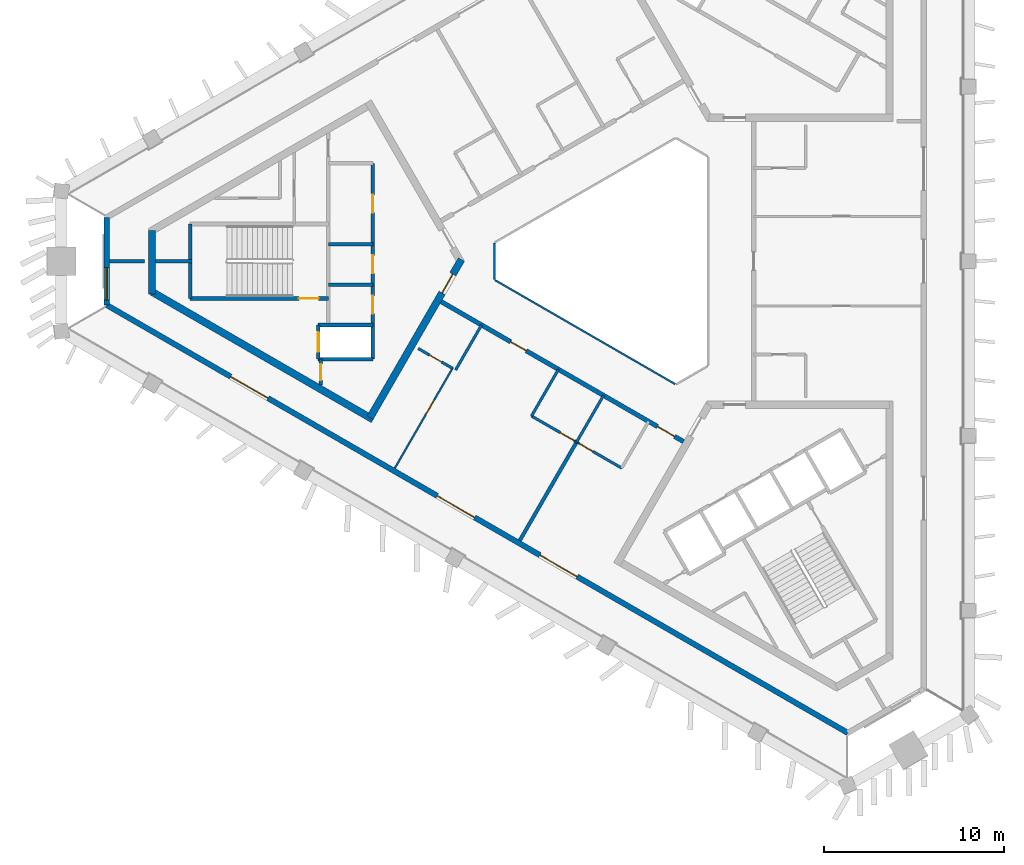
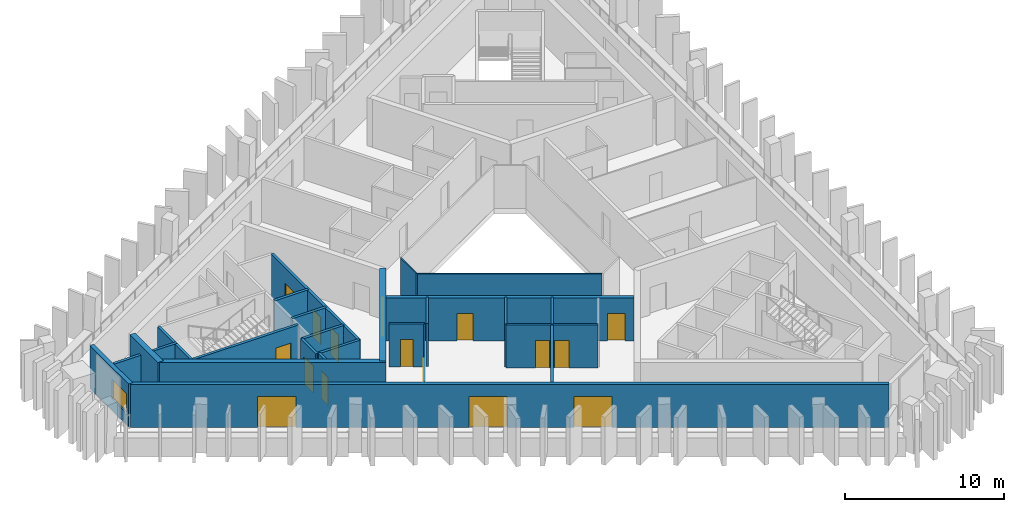
# One storey, part 2 of 9: 26 walls, 16 doors, 1 window, 17 openings.
"""IFC4 building model written with IfcOpenShell, lengths in metres."""

from ifc_helpers import new_model, si_unit, direction, frame, frame_2d, origin, place, context, subcontext, project, spatial, rectangle, extrude, material, layer, layer_set, type_object, element, fill, save


model = new_model("IFC4")

# Units and contexts
model_context = context("Model", 3, precision=1e-05, world=origin(), true_north=direction((0.0, 1.0)))
body_context = subcontext(model_context, "Body", "Model", "MODEL_VIEW")
ifc_project = project(units=[si_unit("LENGTHUNIT", "METRE"), si_unit("AREAUNIT", "SQUARE_METRE"), si_unit("VOLUMEUNIT", "CUBIC_METRE"), si_unit("PLANEANGLEUNIT", "RADIAN"), si_unit("MASSUNIT", "GRAM", prefix="KILO")], contexts=[model_context])

# Site, building, storey
site_placement = place(None, origin())
site = spatial("IfcSite", under=ifc_project, at=site_placement, CompositionType="ELEMENT")
building_placement = place(site_placement, origin())
building = spatial("IfcBuilding", under=site, at=building_placement, Name="Jabali Bay Hotel Tower and Convention Centre", CompositionType="ELEMENT")
storey_placement = place(building_placement, frame((0.0, 0.0, 273.800048828125)))
storey = spatial("IfcBuildingStorey", under=building, at=storey_placement, Name="L67", CompositionType="ELEMENT", Elevation=273.800048828125)

# Walls
ifc_material_1 = material(Name="Fire-resistant glazing", Category="glass")
ifc_layer_1 = layer(ifc_material_1, 0.10009765625)
ifc_layer_set_1 = layer_set([ifc_layer_1], Name="Fire-resistant glazing")
wall_type_1 = type_object("IfcWallType", Name="Atrium glazed screen 100", PredefinedType="PARTITIONING", material=ifc_layer_set_1)
wall_1_placement = place(storey_placement, frame((67.672119140625, 81.0, 0.0), z_axis=(0.0, 0.0, 1.0), x_axis=(0.0, -1.0, 0.0)))
element("IfcWall", 1, at=wall_1_placement, inside=storey, type_object=wall_type_1, Name="Atrium screen 4 L67", PredefinedType="PARTITIONING", context=body_context, shape_type="SweptSolid", body=[
    extrude(rectangle(XDim=2.0, YDim=0.10009765625, at=frame_2d((1.0, 0.0))), origin(), (0.0, 0.0, 1.0), 3.300048828125),
])
wall_2_placement = place(storey_placement, frame((67.7021484375, 78.947998046875, 0.0), z_axis=(0.0, 0.0, 1.0), x_axis=(0.866026658274, -0.499997827154, 0.0)))
element("IfcWall", 2, at=wall_2_placement, inside=storey, type_object=wall_type_1, Name="Atrium screen 5 L67", PredefinedType="PARTITIONING", context=body_context, shape_type="SweptSolid", body=[
    extrude(rectangle(XDim=11.58837890625, YDim=0.10009765625, at=frame_2d((5.794189453125, 0.0))), origin(), (0.0, 0.0, 1.0), 3.300048828125),
])
ifc_material_2 = material(Name="Concrete C40", Category="concrete")
ifc_layer_2 = layer(ifc_material_2, 0.199951171875)
ifc_layer_set_2 = layer_set([ifc_layer_2], Name="Concrete C40")
wall_type_2 = type_object("IfcWallType", Name="Core partition wall 200", PredefinedType="PARTITIONING", material=ifc_layer_set_2)
wall_3_placement = place(storey_placement, frame((50.820068359375, 80.0, 0.0), z_axis=(0.0, 0.0, 1.0), x_axis=(-1.0, 0.0, 0.0)))
element("IfcWall", 3, at=wall_3_placement, inside=storey, type_object=wall_type_2, Name="Core wall 0.4 L67", PredefinedType="PARTITIONING", context=body_context, shape_type="SweptSolid", body=[
    extrude(rectangle(XDim=2.023193359375, YDim=0.199951171875, at=frame_2d((1.01171875, 0.0))), origin(), (0.0, 0.0, 1.0), 3.300048828125),
])

# Wall, opening, door
wall_4_placement = place(storey_placement, frame((58.0, 74.550048828125, 0.0), z_axis=(0.0, 0.0, 1.0), x_axis=(0.0, -1.0, 0.0)))
wall_4 = element("IfcWall", 4, at=wall_4_placement, inside=storey, type_object=wall_type_2, Name="Core wall 0.11 L67", PredefinedType="PARTITIONING", context=body_context, shape_type="SweptSolid", body=[
    extrude(rectangle(XDim=1.455078125, YDim=0.199951171875, at=frame_2d((0.7275390625, 0.0))), origin(), (0.0, 0.0, 1.0), 3.300048828125),
])
opening_1_placement = place(wall_4_placement, frame((0.277587890625, 0.0, 0.0)))
opening_1 = element("IfcOpeningElement", 5, at=opening_1_placement, cuts=wall_4, Name="Opening D1474", PredefinedType="OPENING", context=body_context, shape_type="SweptSolid", body=[
    extrude(rectangle(XDim=0.89990234375, YDim=2.10009765625, at=frame_2d((0.449951171875, 1.050048828125))), frame((0.0, 0.1103515625, 0.0), z_axis=(0.0, -1.0, 0.0), x_axis=(1.0, 0.0, 0.0)), (0.0, 0.0, 1.0), 0.220947265625),
])
ifc_material_3 = material(Name="Fire-rated steel door", Category="steel")
door_type_1 = type_object("IfcDoorType", Name="Vestibule fire door 900 x 2100", OperationType="NOTDEFINED", PredefinedType="NOTDEFINED", material=ifc_material_3)
door_1_placement = place(opening_1_placement, origin())
door_1 = element("IfcDoor", 6, at=door_1_placement, inside=storey, type_object=door_type_1, Name="Vestibule fire door D1474", OperationType="SINGLE_SWING_LEFT", OverallHeight=2.10009765625, OverallWidth=0.89990234375, PredefinedType="NOTDEFINED", context=body_context, shape_type="SweptSolid", body=[
    extrude(rectangle(XDim=0.89990234375, YDim=2.10009765625, at=frame_2d((0.449951171875, 1.050048828125))), frame((0.0, 0.02490234375, 0.0), z_axis=(0.0, -1.0, 0.0), x_axis=(1.0, 0.0, 0.0)), (0.0, 0.0, 1.0), 0.050048828125),
])
fill(opening_1, door_1)

# Walls
ifc_layer_3 = layer(ifc_material_2, 0.199951171875)
ifc_layer_set_3 = layer_set([ifc_layer_3], Name="Concrete C40")
wall_type_3 = type_object("IfcWallType", Name="Core stair wall 200", PredefinedType="SOLIDWALL", material=ifc_layer_set_3)
for number, where, z_axis, x_axis, name in (
    (7, (60.89990234375, 80.949951171875, 0.0), (0.0, 0.0, 1.0), (-1.0, 0.0, 0.0), "Core wall 0.3 L67"),
    (8, (60.89990234375, 78.699951171875, 0.0), (0.0, 0.0, 1.0), (-1.0, 0.0, 0.0), "Core wall 0.5 L67"),
):
    element("IfcWall", number, at=place(storey_placement, frame(where, z_axis=z_axis, x_axis=x_axis)), inside=storey, type_object=wall_type_3, Name=name, PredefinedType="SOLIDWALL", context=body_context, shape_type="SweptSolid", body=[
        extrude(rectangle(XDim=2.47998046875, YDim=0.199951171875, at=frame_2d((1.239990234375, 0.0))), origin(), (0.0, 0.0, 1.0), 3.300048828125),
    ])

# Wall, opening, door
wall_5_placement = place(storey_placement, frame((58.419921875, 77.925048828125, 0.0), z_axis=(0.0, 0.0, 1.0), x_axis=(-1.0, 0.0, 0.0)))
wall_5 = element("IfcWall", 9, at=wall_5_placement, inside=storey, type_object=wall_type_3, Name="Core wall 0.6 L67", PredefinedType="SOLIDWALL", context=body_context, shape_type="SweptSolid", body=[
    extrude(rectangle(XDim=7.699951171875, YDim=0.199951171875, at=frame_2d((3.85009765625, 0.0))), origin(), (0.0, 0.0, 1.0), 3.300048828125),
])
opening_2_placement = place(wall_5_placement, frame((0.550048828125, 0.0, 0.0)))
opening_2 = element("IfcOpeningElement", 10, at=opening_2_placement, cuts=wall_5, Name="Opening D1476", PredefinedType="OPENING", context=body_context, shape_type="SweptSolid", body=[
    extrude(rectangle(XDim=1.10009765625, YDim=2.10009765625, at=frame_2d((0.550048828125, 1.050048828125))), frame((0.0, 0.1103515625, 0.0), z_axis=(0.0, -1.0, 0.0), x_axis=(1.0, 0.0, 0.0)), (0.0, 0.0, 1.0), 0.220947265625),
])
door_type_2 = type_object("IfcDoorType", Name="Stair fire door 1100 x 2100", OperationType="NOTDEFINED", PredefinedType="NOTDEFINED", material=ifc_material_3)
door_2_placement = place(opening_2_placement, origin())
door_2 = element("IfcDoor", 11, at=door_2_placement, inside=storey, type_object=door_type_2, Name="Stair fire door D1476", OperationType="SINGLE_SWING_RIGHT", OverallHeight=2.10009765625, OverallWidth=1.10009765625, PredefinedType="NOTDEFINED", context=body_context, shape_type="SweptSolid", body=[
    extrude(rectangle(XDim=1.10009765625, YDim=2.10009765625, at=frame_2d((0.550048828125, 1.050048828125))), frame((0.0, 0.02490234375, 0.0), z_axis=(0.0, -1.0, 0.0), x_axis=(1.0, 0.0, 0.0)), (0.0, 0.0, 1.0), 0.050048828125),
])
fill(opening_2, door_2)

# Walls
for number, where, z_axis, x_axis, name in (
    (12, (60.89990234375, 76.449951171875, 0.0), (0.0, 0.0, 1.0), (-1.0, 0.0, 0.0), "Core wall 0.7 L67"),
    (13, (60.89990234375, 74.550048828125, 0.0), (0.0, 0.0, 1.0), (-1.0, 0.0, 0.0), "Core wall 0.8 L67"),
):
    element("IfcWall", number, at=place(storey_placement, frame(where, z_axis=z_axis, x_axis=x_axis)), inside=storey, type_object=wall_type_3, Name=name, PredefinedType="SOLIDWALL", context=body_context, shape_type="SweptSolid", body=[
        extrude(rectangle(XDim=3.0498046875, YDim=0.199951171875, at=frame_2d((1.52490234375, 0.0))), origin(), (0.0, 0.0, 1.0), 3.300048828125),
    ])

# Wall, openings, doors
wall_6_placement = place(storey_placement, frame((60.89990234375, 85.449951171875, 0.0), z_axis=(0.0, 0.0, 1.0), x_axis=(0.0, -1.0, 0.0)))
wall_6 = element("IfcWall", 14, at=wall_6_placement, inside=storey, type_object=wall_type_3, Name="Core wall 0.9 L67", PredefinedType="SOLIDWALL", context=body_context, shape_type="SweptSolid", body=[
    extrude(rectangle(XDim=10.89990234375, YDim=0.199951171875, at=frame_2d((5.449951171875, 0.0))), origin(), (0.0, 0.0, 1.0), 3.300048828125),
])
opening_3_placement = place(wall_6_placement, frame((1.75, 0.0, 0.0)))
opening_3 = element("IfcOpeningElement", 15, at=opening_3_placement, cuts=wall_6, Name="Opening D1470", PredefinedType="OPENING", context=body_context, shape_type="SweptSolid", body=[
    extrude(rectangle(XDim=1.0, YDim=2.10009765625, at=frame_2d((0.5, 1.050048828125))), frame((0.0, 0.1103515625, 0.0), z_axis=(0.0, -1.0, 0.0), x_axis=(1.0, 0.0, 0.0)), (0.0, 0.0, 1.0), 0.220947265625),
])
opening_4_placement = place(wall_6_placement, frame((5.125, 0.0, 0.0)))
opening_4 = element("IfcOpeningElement", 16, at=opening_4_placement, cuts=wall_6, Name="Opening D1471", PredefinedType="OPENING", context=body_context, shape_type="SweptSolid", body=[
    extrude(rectangle(XDim=1.0, YDim=2.10009765625, at=frame_2d((0.5, 1.050048828125))), frame((0.0, 0.1103515625, 0.0), z_axis=(0.0, -1.0, 0.0), x_axis=(1.0, 0.0, 0.0)), (0.0, 0.0, 1.0), 0.220947265625),
])
opening_5_placement = place(wall_6_placement, frame((7.375, 0.0, 0.0)))
opening_5 = element("IfcOpeningElement", 17, at=opening_5_placement, cuts=wall_6, Name="Opening D1472", PredefinedType="OPENING", context=body_context, shape_type="SweptSolid", body=[
    extrude(rectangle(XDim=1.0, YDim=2.10009765625, at=frame_2d((0.5, 1.050048828125))), frame((0.0, 0.1103515625, 0.0), z_axis=(0.0, -1.0, 0.0), x_axis=(1.0, 0.0, 0.0)), (0.0, 0.0, 1.0), 0.220947265625),
])
door_type_3 = type_object("IfcDoorType", Name="Core room door 1000 x 2100", OperationType="NOTDEFINED", PredefinedType="NOTDEFINED", material=ifc_material_3)
door_3_placement = place(opening_3_placement, origin())
door_3 = element("IfcDoor", 18, at=door_3_placement, inside=storey, type_object=door_type_3, Name="Core room door D1470", OperationType="SINGLE_SWING_RIGHT", OverallHeight=2.10009765625, OverallWidth=1.0, PredefinedType="NOTDEFINED", context=body_context, shape_type="SweptSolid", body=[
    extrude(rectangle(XDim=1.0, YDim=2.10009765625, at=frame_2d((0.5, 1.050048828125))), frame((0.0, 0.02490234375, 0.0), z_axis=(0.0, -1.0, 0.0), x_axis=(1.0, 0.0, 0.0)), (0.0, 0.0, 1.0), 0.050048828125),
])
fill(opening_3, door_3)
door_4_placement = place(opening_4_placement, origin())
door_4 = element("IfcDoor", 19, at=door_4_placement, inside=storey, type_object=door_type_3, Name="Core room door D1471", OperationType="SINGLE_SWING_RIGHT", OverallHeight=2.10009765625, OverallWidth=1.0, PredefinedType="NOTDEFINED", context=body_context, shape_type="SweptSolid", body=[
    extrude(rectangle(XDim=1.0, YDim=2.10009765625, at=frame_2d((0.5, 1.050048828125))), frame((0.0, 0.02490234375, 0.0), z_axis=(0.0, -1.0, 0.0), x_axis=(1.0, 0.0, 0.0)), (0.0, 0.0, 1.0), 0.050048828125),
])
fill(opening_4, door_4)
door_5_placement = place(opening_5_placement, origin())
door_5 = element("IfcDoor", 20, at=door_5_placement, inside=storey, type_object=door_type_3, Name="Core room door D1472", OperationType="SINGLE_SWING_RIGHT", OverallHeight=2.10009765625, OverallWidth=1.0, PredefinedType="NOTDEFINED", context=body_context, shape_type="SweptSolid", body=[
    extrude(rectangle(XDim=1.0, YDim=2.10009765625, at=frame_2d((0.5, 1.050048828125))), frame((0.0, 0.02490234375, 0.0), z_axis=(0.0, -1.0, 0.0), x_axis=(1.0, 0.0, 0.0)), (0.0, 0.0, 1.0), 0.050048828125),
])
fill(opening_5, door_5)

# Wall, opening, door
wall_7_placement = place(storey_placement, frame((57.85009765625, 76.449951171875, 0.0), z_axis=(0.0, 0.0, 1.0), x_axis=(0.0, -1.0, 0.0)))
wall_7 = element("IfcWall", 21, at=wall_7_placement, inside=storey, type_object=wall_type_3, Name="Core wall 0.12 L67", PredefinedType="SOLIDWALL", context=body_context, shape_type="SweptSolid", body=[
    extrude(rectangle(XDim=1.89990234375, YDim=0.199951171875, at=frame_2d((0.949951171875, 0.0))), origin(), (0.0, 0.0, 1.0), 3.300048828125),
])
opening_6_placement = place(wall_7_placement, frame((0.39990234375, 0.0, 0.0)))
opening_6 = element("IfcOpeningElement", 22, at=opening_6_placement, cuts=wall_7, Name="Opening LD5-L67", PredefinedType="OPENING", context=body_context, shape_type="SweptSolid", body=[
    extrude(rectangle(XDim=1.10009765625, YDim=2.10009765625, at=frame_2d((0.550048828125, 1.050048828125))), frame((0.0, 0.1103515625, 0.0), z_axis=(0.0, -1.0, 0.0), x_axis=(1.0, 0.0, 0.0)), (0.0, 0.0, 1.0), 0.220947265625),
])
ifc_material_4 = material(Name="Stainless steel landing door", Category="steel")
door_type_4 = type_object("IfcDoorType", Name="Landing door 1100 x 2100", OperationType="NOTDEFINED", PredefinedType="NOTDEFINED", material=ifc_material_4)
door_6_placement = place(opening_6_placement, origin())
door_6 = element("IfcDoor", 23, at=door_6_placement, inside=storey, type_object=door_type_4, Name="Landing doors LD5-L67", OperationType="SLIDING_TO_RIGHT", OverallHeight=2.10009765625, OverallWidth=1.10009765625, PredefinedType="NOTDEFINED", context=body_context, shape_type="SweptSolid", body=[
    extrude(rectangle(XDim=1.10009765625, YDim=2.10009765625, at=frame_2d((0.550048828125, 1.050048828125))), frame((0.0, 0.02490234375, 0.0), z_axis=(0.0, -1.0, 0.0), x_axis=(1.0, 0.0, 0.0)), (0.0, 0.0, 1.0), 0.050048828125),
])
fill(opening_6, door_6)

# Walls
wall_8_placement = place(storey_placement, frame((50.719970703125, 82.074951171875, 0.0), z_axis=(0.0, 0.0, 1.0), x_axis=(0.0, -1.0, 0.0)))
element("IfcWall", 24, at=wall_8_placement, inside=storey, type_object=wall_type_3, Name="Core wall 0.15 L67", PredefinedType="SOLIDWALL", context=body_context, shape_type="SweptSolid", body=[
    extrude(rectangle(XDim=4.14990234375, YDim=0.199951171875, at=frame_2d((2.074951171875, 0.0))), origin(), (0.0, 0.0, 1.0), 3.300048828125),
])
ifc_material_5 = material(Name="Concrete C60", Category="concrete")
ifc_layer_4 = layer(ifc_material_5, 0.39990234375)
ifc_layer_set_4 = layer_set([ifc_layer_4], Name="Concrete C60")
wall_type_4 = type_object("IfcWallType", Name="Core wall 400", PredefinedType="SHEAR", material=ifc_layer_set_4)
wall_9_placement = place(storey_placement, frame((48.596923828125, 81.707275390625, 0.0), z_axis=(0.0, 0.0, 1.0), x_axis=(0.0, -1.0, 0.0)))
element("IfcWall", 25, at=wall_9_placement, inside=storey, type_object=wall_type_4, Name="Core wall 1.3 L67", PredefinedType="SHEAR", context=body_context, shape_type="SweptSolid", body=[
    extrude(rectangle(XDim=3.530029296875, YDim=0.39990234375, at=frame_2d((1.76513671875, 0.0))), origin(), (0.0, 0.0, 1.0), 3.699951171875),
])
wall_10_placement = place(storey_placement, frame((48.596923828125, 78.292724609375, 0.0), z_axis=(0.0, 0.0, 1.0), x_axis=(0.866026024469, -0.499998924941, 0.0)))
element("IfcWall", 26, at=wall_10_placement, inside=storey, type_object=wall_type_4, Name="Core wall 1.4 L67", PredefinedType="SHEAR", context=body_context, shape_type="SweptSolid", body=[
    extrude(rectangle(XDim=14.2177734375, YDim=0.39990234375, at=frame_2d((7.10888671875, 0.0))), origin(), (0.0, 0.0, 1.0), 3.699951171875),
])

# Wall, opening, door
wall_11_placement = place(storey_placement, frame((60.73681640625, 71.283935546875, 0.0), z_axis=(0.0, 0.0, 1.0), x_axis=(0.50000547566, 0.866022242388, 0.0)))
wall_11 = element("IfcWall", 27, at=wall_11_placement, inside=storey, type_object=wall_type_4, Name="Core wall 1.5 L67", PredefinedType="SHEAR", context=body_context, shape_type="SweptSolid", body=[
    extrude(rectangle(XDim=10.18017578125, YDim=0.39990234375, at=frame_2d((5.090087890625, 0.0))), origin(), (0.0, 0.0, 1.0), 3.699951171875),
])
opening_7_placement = place(wall_11_placement, frame((8.030029296875, 0.0, 0.0)))
opening_7 = element("IfcOpeningElement", 28, at=opening_7_placement, cuts=wall_11, Name="Opening D1469", PredefinedType="OPENING", context=body_context, shape_type="SweptSolid", body=[
    extrude(rectangle(XDim=1.199951171875, YDim=2.10009765625, at=frame_2d((0.60009765625, 1.050048828125))), frame((0.0, 0.21044921875, 0.0), z_axis=(0.0, -1.0, 0.0), x_axis=(1.0, 0.0, 0.0)), (0.0, 0.0, 1.0), 0.4208984375),
])
door_type_5 = type_object("IfcDoorType", Name="Corridor end fire door 1200 x 2100", OperationType="NOTDEFINED", PredefinedType="NOTDEFINED", material=ifc_material_3)
door_7_placement = place(opening_7_placement, origin())
door_7 = element("IfcDoor", 29, at=door_7_placement, inside=storey, type_object=door_type_5, Name="Corridor end fire door D1469", OperationType="SINGLE_SWING_LEFT", OverallHeight=2.10009765625, OverallWidth=1.199951171875, PredefinedType="NOTDEFINED", context=body_context, shape_type="SweptSolid", body=[
    extrude(rectangle(XDim=1.199951171875, YDim=2.10009765625, at=frame_2d((0.60009765625, 1.050048828125))), frame((0.0, 0.02490234375, 0.0), z_axis=(0.0, -1.0, 0.0), x_axis=(1.0, 0.0, 0.0)), (0.0, 0.0, 1.0), 0.050048828125),
])
fill(opening_7, door_7)

# Wall, openings, doors
ifc_layer_5 = layer(ifc_material_5, 0.25)
ifc_layer_set_5 = layer_set([ifc_layer_5], Name="Concrete C60")
wall_type_5 = type_object("IfcWallType", Name="Corridor wall 250", PredefinedType="SHEAR", material=ifc_layer_set_5)
wall_12_placement = place(storey_placement, frame((64.699951171875, 77.748291015625, 0.0), z_axis=(0.0, 0.0, 1.0), x_axis=(0.866026492143, -0.499998114903, 0.0)))
wall_12 = element("IfcWall", 30, at=wall_12_placement, inside=storey, type_object=wall_type_5, Name="Corridor wall 3 L67", PredefinedType="SHEAR", context=body_context, shape_type="SweptSolid", body=[
    extrude(rectangle(XDim=15.58837890625, YDim=0.25, at=frame_2d((7.794189453125, 0.0))), origin(), (0.0, 0.0, 1.0), 3.300048828125),
])
opening_8_placement = place(wall_12_placement, frame((4.47314453125, 0.0, 0.0)))
opening_8 = element("IfcOpeningElement", 31, at=opening_8_placement, cuts=wall_12, Name="Opening 6715", PredefinedType="OPENING", context=body_context, shape_type="SweptSolid", body=[
    extrude(rectangle(XDim=1.0, YDim=2.10009765625, at=frame_2d((0.5, 1.050048828125))), frame((0.0, 0.135498046875, 0.0), z_axis=(0.0, -1.0, 0.0), x_axis=(1.0, 0.0, 0.0)), (0.0, 0.0, 1.0), 0.27099609375),
])
opening_9_placement = place(wall_12_placement, frame((13.91650390625, 0.0, 0.0)))
opening_9 = element("IfcOpeningElement", 32, at=opening_9_placement, cuts=wall_12, Name="Opening 6717", PredefinedType="OPENING", context=body_context, shape_type="SweptSolid", body=[
    extrude(rectangle(XDim=1.10009765625, YDim=2.10009765625, at=frame_2d((0.550048828125, 1.050048828125))), frame((0.0, 0.135498046875, 0.0), z_axis=(0.0, -1.0, 0.0), x_axis=(1.0, 0.0, 0.0)), (0.0, 0.0, 1.0), 0.27099609375),
])
ifc_material_6 = material(Name="Timber", Category="wood")
door_type_6 = type_object("IfcDoorType", Name="Accessible guest room door 1100 x 2100", OperationType="NOTDEFINED", PredefinedType="NOTDEFINED", material=ifc_material_6)
door_8_placement = place(opening_9_placement, origin())
door_8 = element("IfcDoor", 33, at=door_8_placement, inside=storey, type_object=door_type_6, Name="Door 6717", OperationType="SINGLE_SWING_RIGHT", OverallHeight=2.10009765625, OverallWidth=1.10009765625, PredefinedType="NOTDEFINED", context=body_context, shape_type="SweptSolid", body=[
    extrude(rectangle(XDim=1.10009765625, YDim=2.10009765625, at=frame_2d((0.550048828125, 1.050048828125))), frame((0.0, 0.02490234375, 0.0), z_axis=(0.0, -1.0, 0.0), x_axis=(1.0, 0.0, 0.0)), (0.0, 0.0, 1.0), 0.050048828125),
])
fill(opening_9, door_8)
door_type_7 = type_object("IfcDoorType", Name="Guest room door 1000 x 2100", OperationType="NOTDEFINED", PredefinedType="NOTDEFINED", material=ifc_material_6)
door_9_placement = place(opening_8_placement, origin())
door_9 = element("IfcDoor", 34, at=door_9_placement, inside=storey, type_object=door_type_7, Name="Door 6715", OperationType="SINGLE_SWING_LEFT", OverallHeight=2.10009765625, OverallWidth=1.0, PredefinedType="NOTDEFINED", context=body_context, shape_type="SweptSolid", body=[
    extrude(rectangle(XDim=1.0, YDim=2.10009765625, at=frame_2d((0.5, 1.050048828125))), frame((0.0, 0.02490234375, 0.0), z_axis=(0.0, -1.0, 0.0), x_axis=(1.0, 0.0, 0.0)), (0.0, 0.0, 1.0), 0.050048828125),
])
fill(opening_8, door_9)

# Wall, opening, window
ifc_layer_6 = layer(ifc_material_2, 0.300048828125)
ifc_layer_set_6 = layer_set([ifc_layer_6], Name="Concrete C40")
wall_type_6 = type_object("IfcWallType", Name="External wall 300", PredefinedType="SOLIDWALL", material=ifc_layer_set_6)
wall_13_placement = place(storey_placement, frame((46.0673828125, 77.561767578125, 0.0), z_axis=(0.0, 0.0, 1.0), x_axis=(0.0, 1.0, 0.0)))
wall_13 = element("IfcWall", 35, at=wall_13_placement, inside=storey, type_object=wall_type_6, Name="External wall west chamfer L67", PredefinedType="SOLIDWALL", context=body_context, shape_type="SweptSolid", body=[
    extrude(rectangle(XDim=4.87646484375, YDim=0.300048828125, at=frame_2d((2.438232421875, 0.0))), origin(), (0.0, 0.0, 1.0), 3.300048828125),
])
opening_10_placement = place(wall_13_placement, frame((0.27587890625, 0.0, 0.89990234375)))
opening_10 = element("IfcOpeningElement", 36, at=opening_10_placement, cuts=wall_13, Name="Opening W1", PredefinedType="OPENING", context=body_context, shape_type="SweptSolid", body=[
    extrude(rectangle(XDim=1.800048828125, YDim=1.5, at=frame_2d((0.89990234375, 0.75))), frame((0.0, 0.16064453125, 0.0), z_axis=(0.0, -1.0, 0.0), x_axis=(1.0, 0.0, 0.0)), (0.0, 0.0, 1.0), 0.321044921875),
])
ifc_material_7 = material(Name="Glass", Category="glass")
window_type = type_object("IfcWindowType", Name="Window 1800 x 1500", PartitioningType="SINGLE_PANEL", PredefinedType="WINDOW", material=ifc_material_7)
window_placement = place(opening_10_placement, origin())
window = element("IfcWindow", 37, at=window_placement, inside=storey, type_object=window_type, Name="Window 6705", OverallHeight=1.5, OverallWidth=1.800048828125, PartitioningType="SINGLE_PANEL", PredefinedType="WINDOW", context=body_context, shape_type="SweptSolid", body=[
    extrude(rectangle(XDim=1.800048828125, YDim=1.5, at=frame_2d((0.89990234375, 0.75))), frame((0.0, 0.030029296875, 0.0), z_axis=(0.0, -1.0, 0.0), x_axis=(1.0, 0.0, 0.0)), (0.0, 0.0, 1.0), 0.06005859375),
])
fill(opening_10, window)

# Wall, openings, doors
wall_14_placement = place(storey_placement, frame((87.354736328125, 53.724365234375, 0.0), z_axis=(0.0, 0.0, 1.0), x_axis=(-0.866024153303, 0.50000216589, 0.0)))
wall_14 = element("IfcWall", 38, at=wall_14_placement, inside=storey, type_object=wall_type_6, Name="External wall south-west face L67", PredefinedType="SOLIDWALL", context=body_context, shape_type="SweptSolid", body=[
    extrude(rectangle(XDim=47.674560546875, YDim=0.300048828125, at=frame_2d((23.83740234375, 0.0))), origin(), (0.0, 0.0, 1.0), 3.300048828125),
])
opening_11_placement = place(wall_14_placement, frame((17.4150390625, 0.0, 0.0)))
opening_11 = element("IfcOpeningElement", 39, at=opening_11_placement, cuts=wall_14, Name="Opening SD1", PredefinedType="OPENING", context=body_context, shape_type="SweptSolid", body=[
    extrude(rectangle(XDim=2.39990234375, YDim=2.39990234375, at=frame_2d((1.199951171875, 1.199951171875))), frame((0.0, 0.16064453125, 0.0), z_axis=(0.0, -1.0, 0.0), x_axis=(1.0, 0.0, 0.0)), (0.0, 0.0, 1.0), 0.321044921875),
])
opening_12_placement = place(wall_14_placement, frame((37.295654296875, 0.0, 0.0)))
opening_12 = element("IfcOpeningElement", 40, at=opening_12_placement, cuts=wall_14, Name="Opening SD1", PredefinedType="OPENING", context=body_context, shape_type="SweptSolid", body=[
    extrude(rectangle(XDim=2.39990234375, YDim=2.39990234375, at=frame_2d((1.199951171875, 1.199951171875))), frame((0.0, 0.16064453125, 0.0), z_axis=(0.0, -1.0, 0.0), x_axis=(1.0, 0.0, 0.0)), (0.0, 0.0, 1.0), 0.321044921875),
])
opening_13_placement = place(wall_14_placement, frame((24.00830078125, 0.0, 0.0)))
opening_13 = element("IfcOpeningElement", 41, at=opening_13_placement, cuts=wall_14, Name="Opening SD1", PredefinedType="OPENING", context=body_context, shape_type="SweptSolid", body=[
    extrude(rectangle(XDim=2.39990234375, YDim=2.39990234375, at=frame_2d((1.199951171875, 1.199951171875))), frame((0.0, 0.16064453125, 0.0), z_axis=(0.0, -1.0, 0.0), x_axis=(1.0, 0.0, 0.0)), (0.0, 0.0, 1.0), 0.321044921875),
])
door_type_8 = type_object("IfcDoorType", Name="Loggia sliding door 2400 x 2400", OperationType="NOTDEFINED", PredefinedType="NOTDEFINED", material=ifc_material_7)
door_10_placement = place(opening_11_placement, origin())
door_10 = element("IfcDoor", 42, at=door_10_placement, inside=storey, type_object=door_type_8, Name="Loggia sliding door 6706", OperationType="SLIDING_TO_LEFT", OverallHeight=2.39990234375, OverallWidth=2.39990234375, PredefinedType="NOTDEFINED", context=body_context, shape_type="SweptSolid", body=[
    extrude(rectangle(XDim=2.39990234375, YDim=2.39990234375, at=frame_2d((1.199951171875, 1.199951171875))), frame((0.0, 0.02490234375, 0.0), z_axis=(0.0, -1.0, 0.0), x_axis=(1.0, 0.0, 0.0)), (0.0, 0.0, 1.0), 0.050048828125),
])
fill(opening_11, door_10)
door_11_placement = place(opening_12_placement, origin())
door_11 = element("IfcDoor", 43, at=door_11_placement, inside=storey, type_object=door_type_8, Name="Loggia sliding door 6705", OperationType="SLIDING_TO_RIGHT", OverallHeight=2.39990234375, OverallWidth=2.39990234375, PredefinedType="NOTDEFINED", context=body_context, shape_type="SweptSolid", body=[
    extrude(rectangle(XDim=2.39990234375, YDim=2.39990234375, at=frame_2d((1.199951171875, 1.199951171875))), frame((0.0, 0.02490234375, 0.0), z_axis=(0.0, -1.0, 0.0), x_axis=(1.0, 0.0, 0.0)), (0.0, 0.0, 1.0), 0.050048828125),
])
fill(opening_12, door_11)
door_12_placement = place(opening_13_placement, origin())
door_12 = element("IfcDoor", 44, at=door_12_placement, inside=storey, type_object=door_type_8, Name="Loggia sliding door 6705", OperationType="SLIDING_TO_LEFT", OverallHeight=2.39990234375, OverallWidth=2.39990234375, PredefinedType="NOTDEFINED", context=body_context, shape_type="SweptSolid", body=[
    extrude(rectangle(XDim=2.39990234375, YDim=2.39990234375, at=frame_2d((1.199951171875, 1.199951171875))), frame((0.0, 0.02490234375, 0.0), z_axis=(0.0, -1.0, 0.0), x_axis=(1.0, 0.0, 0.0)), (0.0, 0.0, 1.0), 0.050048828125),
])
fill(opening_13, door_12)

# Wall, opening, door
ifc_material_8 = material(Name="Plasterboard on steel stud", Category="steel")
ifc_layer_7 = layer(ifc_material_8, 0.10009765625)
ifc_layer_set_7 = layer_set([ifc_layer_7], Name="Plasterboard on steel stud")
wall_type_7 = type_object("IfcWallType", Name="Partition 100 unit", PredefinedType="PARTITIONING", material=ifc_layer_set_7)
wall_15_placement = place(storey_placement, frame((62.116455078125, 68.468994140625, 0.0), z_axis=(0.0, 0.0, 1.0), x_axis=(0.499987977232, 0.866032345022, 0.0)))
wall_15 = element("IfcWall", 45, at=wall_15_placement, inside=storey, type_object=wall_type_7, Name="Partition P02 L67 019", PredefinedType="PARTITIONING", context=body_context, shape_type="SweptSolid", body=[
    extrude(rectangle(XDim=6.447021484375, YDim=0.10009765625, at=frame_2d((3.2236328125, 0.0))), origin(), (0.0, 0.0, 1.0), 3.300048828125),
])
opening_14_placement = place(wall_15_placement, frame((3.47802734375, 0.0, 0.0)))
opening_14 = element("IfcOpeningElement", 46, at=opening_14_placement, cuts=wall_15, Name="Opening 6714", PredefinedType="OPENING", context=body_context, shape_type="SweptSolid", body=[
    extrude(rectangle(XDim=0.89990234375, YDim=2.10009765625, at=frame_2d((0.449951171875, 1.050048828125))), frame((0.0, 0.060546875, 0.0), z_axis=(0.0, -1.0, 0.0), x_axis=(1.0, 0.0, 0.0)), (0.0, 0.0, 1.0), 0.12109375),
])
door_type_9 = type_object("IfcDoorType", Name="Internal door 900 x 2100", OperationType="NOTDEFINED", PredefinedType="NOTDEFINED", material=ifc_material_6)
door_13_placement = place(opening_14_placement, origin())
door_13 = element("IfcDoor", 47, at=door_13_placement, inside=storey, type_object=door_type_9, Name="Door 6714", OperationType="SINGLE_SWING_LEFT", OverallHeight=2.10009765625, OverallWidth=0.89990234375, PredefinedType="NOTDEFINED", context=body_context, shape_type="SweptSolid", body=[
    extrude(rectangle(XDim=0.89990234375, YDim=2.10009765625, at=frame_2d((0.449951171875, 1.050048828125))), frame((0.0, 0.02490234375, 0.0), z_axis=(0.0, -1.0, 0.0), x_axis=(1.0, 0.0, 0.0)), (0.0, 0.0, 1.0), 0.050048828125),
])
fill(opening_14, door_13)

ifc_layer_8 = layer(ifc_material_8, 0.14990234375)
ifc_layer_set_8 = layer_set([ifc_layer_8], Name="Plasterboard on steel stud")
wall_type_8 = type_object("IfcWallType", Name="Partition 150 wet", PredefinedType="PARTITIONING", material=ifc_layer_set_8)
wall_16_placement = place(storey_placement, frame((65.3466796875, 74.0263671875, 0.0), z_axis=(0.0, 0.0, 1.0), x_axis=(-0.866042797968, 0.49996987118, 0.0)))
wall_16 = element("IfcWall", 48, at=wall_16_placement, inside=storey, type_object=wall_type_8, Name="Partition P03 L67 020", PredefinedType="PARTITIONING", context=body_context, shape_type="SweptSolid", body=[
    extrude(rectangle(XDim=2.220947265625, YDim=0.14990234375, at=frame_2d((1.1103515625, 0.0))), origin(), (0.0, 0.0, 1.0), 3.300048828125),
])
opening_15_placement = place(wall_16_placement, frame((0.7109375, 0.0, 0.0)))
opening_15 = element("IfcOpeningElement", 49, at=opening_15_placement, cuts=wall_16, Name="Opening 6712", PredefinedType="OPENING", context=body_context, shape_type="SweptSolid", body=[
    extrude(rectangle(XDim=0.800048828125, YDim=2.10009765625, at=frame_2d((0.39990234375, 1.050048828125))), frame((0.0, 0.08544921875, 0.0), z_axis=(0.0, -1.0, 0.0), x_axis=(1.0, 0.0, 0.0)), (0.0, 0.0, 1.0), 0.1708984375),
])
door_type_10 = type_object("IfcDoorType", Name="En-suite door 800 x 2100", OperationType="NOTDEFINED", PredefinedType="NOTDEFINED", material=ifc_material_6)
door_14_placement = place(opening_15_placement, origin())
door_14 = element("IfcDoor", 50, at=door_14_placement, inside=storey, type_object=door_type_10, Name="Door 6712", OperationType="SINGLE_SWING_LEFT", OverallHeight=2.10009765625, OverallWidth=0.800048828125, PredefinedType="NOTDEFINED", context=body_context, shape_type="SweptSolid", body=[
    extrude(rectangle(XDim=0.800048828125, YDim=2.10009765625, at=frame_2d((0.39990234375, 1.050048828125))), frame((0.0, 0.02490234375, 0.0), z_axis=(0.0, -1.0, 0.0), x_axis=(1.0, 0.0, 0.0)), (0.0, 0.0, 1.0), 0.050048828125),
])
fill(opening_15, door_14)

# Walls
wall_17_placement = place(storey_placement, frame((66.95166015625, 76.4482421875, 0.0), z_axis=(0.0, 0.0, 1.0), x_axis=(-0.499987231761, -0.866032775405, 0.0)))
element("IfcWall", 51, at=wall_17_placement, inside=storey, type_object=wall_type_8, Name="Partition P03 L67 021", PredefinedType="PARTITIONING", context=body_context, shape_type="SweptSolid", body=[
    extrude(rectangle(XDim=2.89990234375, YDim=0.14990234375, at=frame_2d((1.449951171875, 0.0))), origin(), (0.0, 0.0, 1.0), 3.300048828125),
])
wall_18_placement = place(storey_placement, frame((73.7451171875, 72.526123046875, 0.0), z_axis=(0.0, 0.0, 1.0), x_axis=(-0.50002537861, -0.866010750942, 0.0)))
element("IfcWall", 52, at=wall_18_placement, inside=storey, type_object=wall_type_8, Name="Partition P03 L67 022", PredefinedType="PARTITIONING", context=body_context, shape_type="SweptSolid", body=[
    extrude(rectangle(XDim=2.999755859375, YDim=0.14990234375, at=frame_2d((1.5, 0.0))), origin(), (0.0, 0.0, 1.0), 3.300048828125),
])
wall_19_placement = place(storey_placement, frame((69.733642578125, 71.378173828125, 0.0), z_axis=(0.0, 0.0, 1.0), x_axis=(0.499990139034, 0.866031096941, 0.0)))
element("IfcWall", 53, at=wall_19_placement, inside=storey, type_object=wall_type_8, Name="Partition P03 L67 023", PredefinedType="PARTITIONING", context=body_context, shape_type="SweptSolid", body=[
    extrude(rectangle(XDim=3.0, YDim=0.14990234375, at=frame_2d((1.5, 0.0))), origin(), (0.0, 0.0, 1.0), 3.300048828125),
])

# Wall, openings, doors
wall_20_placement = place(storey_placement, frame((74.756591796875, 68.47802734375, 0.0), z_axis=(0.0, 0.0, 1.0), x_axis=(-0.86601454848, 0.500018801468, 0.0)))
wall_20 = element("IfcWall", 54, at=wall_20_placement, inside=storey, type_object=wall_type_8, Name="Partition P03 L67 026", PredefinedType="PARTITIONING", context=body_context, shape_type="SweptSolid", body=[
    extrude(rectangle(XDim=5.800048828125, YDim=0.14990234375, at=frame_2d((2.89990234375, 0.0))), origin(), (0.0, 0.0, 1.0), 3.300048828125),
])
opening_16_placement = place(wall_20_placement, frame((3.050048828125, 0.0, 0.0)))
opening_16 = element("IfcOpeningElement", 55, at=opening_16_placement, cuts=wall_20, Name="Opening 6713", PredefinedType="OPENING", context=body_context, shape_type="SweptSolid", body=[
    extrude(rectangle(XDim=0.89990234375, YDim=2.10009765625, at=frame_2d((0.449951171875, 1.050048828125))), frame((0.0, 0.08544921875, 0.0), z_axis=(0.0, -1.0, 0.0), x_axis=(1.0, 0.0, 0.0)), (0.0, 0.0, 1.0), 0.1708984375),
])
opening_17_placement = place(wall_20_placement, frame((1.85009765625, 0.0, 0.0)))
opening_17 = element("IfcOpeningElement", 56, at=opening_17_placement, cuts=wall_20, Name="Opening 6716", PredefinedType="OPENING", context=body_context, shape_type="SweptSolid", body=[
    extrude(rectangle(XDim=0.89990234375, YDim=2.10009765625, at=frame_2d((0.449951171875, 1.050048828125))), frame((0.0, 0.08544921875, 0.0), z_axis=(0.0, -1.0, 0.0), x_axis=(1.0, 0.0, 0.0)), (0.0, 0.0, 1.0), 0.1708984375),
])
door_type_11 = type_object("IfcDoorType", Name="Accessible en-suite door 900 x 2100", OperationType="NOTDEFINED", PredefinedType="NOTDEFINED", material=ifc_material_6)
door_15_placement = place(opening_17_placement, origin())
door_15 = element("IfcDoor", 57, at=door_15_placement, inside=storey, type_object=door_type_11, Name="Door 6716", OperationType="SINGLE_SWING_RIGHT", OverallHeight=2.10009765625, OverallWidth=0.89990234375, PredefinedType="NOTDEFINED", context=body_context, shape_type="SweptSolid", body=[
    extrude(rectangle(XDim=0.89990234375, YDim=2.10009765625, at=frame_2d((0.449951171875, 1.050048828125))), frame((0.0, 0.02490234375, 0.0), z_axis=(0.0, -1.0, 0.0), x_axis=(1.0, 0.0, 0.0)), (0.0, 0.0, 1.0), 0.050048828125),
])
fill(opening_17, door_15)
door_16_placement = place(opening_16_placement, origin())
door_16 = element("IfcDoor", 58, at=door_16_placement, inside=storey, type_object=door_type_9, Name="Door 6713", OperationType="SINGLE_SWING_LEFT", OverallHeight=2.10009765625, OverallWidth=0.89990234375, PredefinedType="NOTDEFINED", context=body_context, shape_type="SweptSolid", body=[
    extrude(rectangle(XDim=0.89990234375, YDim=2.10009765625, at=frame_2d((0.449951171875, 1.050048828125))), frame((0.0, 0.02490234375, 0.0), z_axis=(0.0, -1.0, 0.0), x_axis=(1.0, 0.0, 0.0)), (0.0, 0.0, 1.0), 0.050048828125),
])
fill(opening_16, door_16)

# Walls
ifc_layer_9 = layer(ifc_material_8, 0.199951171875)
ifc_layer_set_9 = layer_set([ifc_layer_9], Name="Plasterboard on steel stud")
wall_type_9 = type_object("IfcWallType", Name="Partition 200 party", PredefinedType="PARTITIONING", material=ifc_layer_set_9)
wall_21_placement = place(storey_placement, frame((46.2373046875, 80.0, 0.0), z_axis=(0.0, 0.0, 1.0), x_axis=(1.0, 0.0, 0.0)))
element("IfcWall", 59, at=wall_21_placement, inside=storey, type_object=wall_type_9, Name="Partition P01 L67 018", PredefinedType="PARTITIONING", context=body_context, shape_type="SweptSolid", body=[
    extrude(rectangle(XDim=1.939697265625, YDim=0.199951171875, at=frame_2d((0.9697265625, 0.0))), origin(), (0.0, 0.0, 1.0), 3.300048828125),
])
wall_22_placement = place(storey_placement, frame((69.08056640625, 64.447021484375, 0.0), z_axis=(0.0, 0.0, 1.0), x_axis=(0.499997370395, 0.866026921982, 0.0)))
element("IfcWall", 60, at=wall_22_placement, inside=storey, type_object=wall_type_9, Name="Partition P01 L67 024", PredefinedType="PARTITIONING", context=body_context, shape_type="SweptSolid", body=[
    extrude(rectangle(XDim=6.3291015625, YDim=0.199951171875, at=frame_2d((3.16455078125, 0.0))), origin(), (0.0, 0.0, 1.0), 3.300048828125),
])

save(model, "model.ifc")
